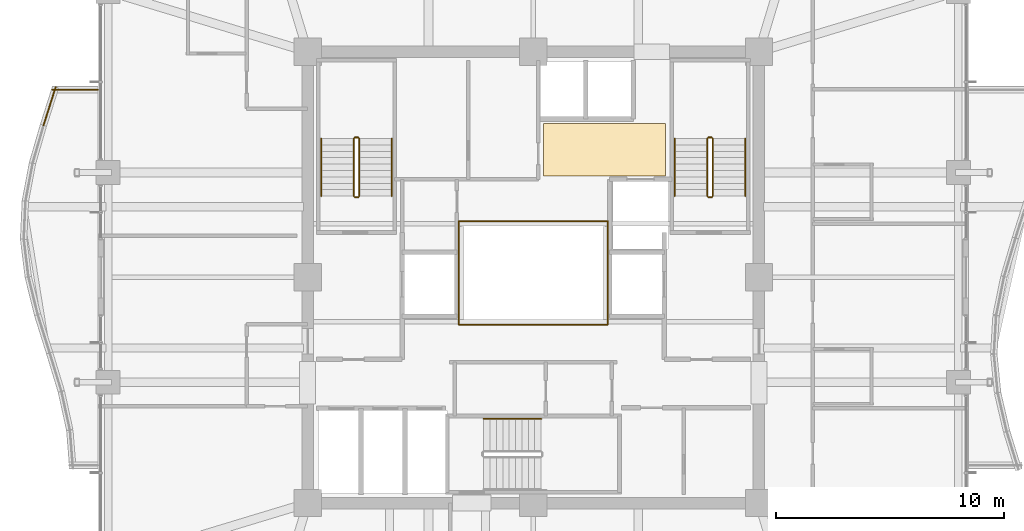
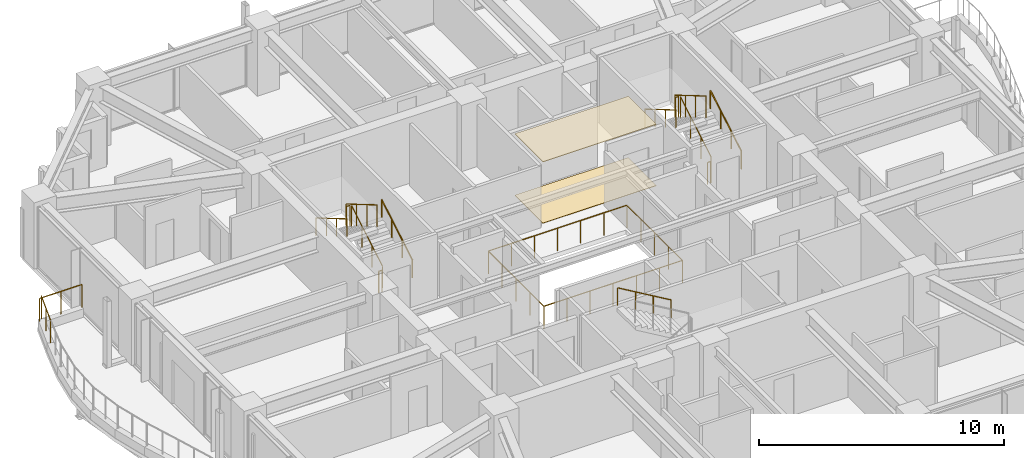
# One storey, part 37 of 38: 19 railings, 2 coverings.
"""IFC4 building model written with IfcOpenShell, lengths in metres."""

from ifc_helpers import new_model, si_unit, direction, frame, origin, origin_2d, place, context, subcontext, project, spatial, polyline, circle, outline, extrude, material, layer, layer_set, type_object, element, save


model = new_model("IFC4")

# Units and contexts
model_context = context("Model", 3, precision=1e-05, world=origin(), true_north=direction((0.0, 1.0)))
body_context = subcontext(model_context, "Body", "Model", "MODEL_VIEW")
ifc_project = project(units=[si_unit("LENGTHUNIT", "METRE"), si_unit("AREAUNIT", "SQUARE_METRE"), si_unit("VOLUMEUNIT", "CUBIC_METRE"), si_unit("PLANEANGLEUNIT", "RADIAN"), si_unit("MASSUNIT", "GRAM", prefix="KILO")], contexts=[model_context])

# Site, building, storey
site_placement = place(None, origin())
site = spatial("IfcSite", under=ifc_project, at=site_placement, CompositionType="ELEMENT")
building_placement = place(site_placement, origin())
building = spatial("IfcBuilding", under=site, at=building_placement, Name="Kolvaren Belvedere", CompositionType="ELEMENT")
storey_placement = place(building_placement, frame((0.0, 0.0, 121.699951171875)))
storey = spatial("IfcBuildingStorey", under=building, at=storey_placement, Name="L35", CompositionType="ELEMENT", Elevation=121.699951171875)

# Coverings
ifc_material_1 = material(Name="Acoustic perforated gypsum board", Category="gypsum")
ifc_layer_1 = layer(ifc_material_1, 0.02490234375)
ifc_layer_set_1 = layer_set([ifc_layer_1], Name="Acoustic perforated gypsum board")
covering_type_1 = type_object("IfcCoveringType", Name="COV-CEIL-GYP", PredefinedType="CEILING", material=ifc_layer_set_1)
covering_1_placement = place(storey_placement, frame((0.0, 0.0, 3.054931640625)))
element("IfcCovering", 1, at=covering_1_placement, inside=storey, type_object=covering_type_1, Name="L35 Lift Lobby Acoustic Baffle Ceiling", PredefinedType="CEILING", context=body_context, shape_type="SweptSolid", body=[
    extrude(outline(polyline([(0.449951171875, 4.449951171875), (5.800048828125, 4.449951171875), (5.800048828125, 6.75), (0.449951171875, 6.75), (0.449951171875, 4.449951171875)])), origin(), (0.0, 0.0, 1.0), 0.025146484375),
])
ifc_material_2 = material(Name="Engineered Pacific white oak", Category="timber")
ifc_layer_2 = layer(ifc_material_2, 0.02001953125)
ifc_layer_set_2 = layer_set([ifc_layer_2], Name="Engineered Pacific white oak")
covering_type_2 = type_object("IfcCoveringType", Name="COV-FLR-OAK", PredefinedType="FLOORING", material=ifc_layer_set_2)
covering_2_placement = place(storey_placement, origin())
element("IfcCovering", 2, at=covering_2_placement, inside=storey, type_object=covering_type_2, Name="L35 Lift Lobby Finish Flooring", PredefinedType="FLOORING", context=body_context, shape_type="SweptSolid", body=[
    extrude(outline(polyline([(0.449951171875, 4.449951171875), (5.800048828125, 4.449951171875), (5.800048828125, 6.75), (0.449951171875, 6.75), (0.449951171875, 4.449951171875)])), origin(), (0.0, 0.0, 1.0), 0.02001953125),
])

# Railings
ifc_material_3 = material(Name="Laminated glass & stainless-steel cap rail", Category="steel")
railing_type_1 = type_object("IfcRailingType", Name="RL-ATR-1150", PredefinedType="BALUSTRADE", material=ifc_material_3)
for number, where, name in (
    (3, (-3.27001953125, 2.469970703125, 0.0), "L35 Atrium North Glass Balustrade"),
    (4, (-3.27001953125, -2.070068359375, 0.0), "L35 Atrium South Glass Balustrade"),
):
    element("IfcRailing", number, at=place(storey_placement, frame(where)), inside=storey, type_object=railing_type_1, Name=name, PredefinedType="BALUSTRADE", context=body_context, shape_type="SweptSolid", body=[
        extrude(circle(Radius=0.02392578125, at=origin_2d()), frame((0.0, 0.0, 1.1259765625), z_axis=(1.0, 0.0, 0.0), x_axis=(0.0, 1.0, 0.0)), (0.0, 0.0, 1.0), 6.5400390625),
        extrude(circle(Radius=0.02099609375, at=origin_2d()), origin(), (0.0, 0.0, 1.0), 1.101806640625),
        extrude(circle(Radius=0.02099609375, at=origin_2d()), frame((1.090087890625, 0.0, 0.0)), (0.0, 0.0, 1.0), 1.101806640625),
        extrude(circle(Radius=0.02099609375, at=origin_2d()), frame((2.179931640625, 0.0, 0.0)), (0.0, 0.0, 1.0), 1.101806640625),
        extrude(circle(Radius=0.02099609375, at=origin_2d()), frame((3.27001953125, 0.0, 0.0)), (0.0, 0.0, 1.0), 1.101806640625),
        extrude(circle(Radius=0.02099609375, at=origin_2d()), frame((4.360107421875, 0.0, 0.0)), (0.0, 0.0, 1.0), 1.101806640625),
        extrude(circle(Radius=0.02099609375, at=origin_2d()), frame((5.449951171875, 0.0, 0.0)), (0.0, 0.0, 1.0), 1.101806640625),
        extrude(circle(Radius=0.02099609375, at=origin_2d()), frame((6.5400390625, 0.0, 0.0)), (0.0, 0.0, 1.0), 1.101806640625),
    ])
for number, where, name in (
    (5, (-3.27001953125, -2.070068359375, 0.0), "L35 Atrium West Glass Balustrade"),
    (6, (3.27001953125, -2.070068359375, 0.0), "L35 Atrium East Glass Balustrade"),
):
    element("IfcRailing", number, at=place(storey_placement, frame(where)), inside=storey, type_object=railing_type_1, Name=name, PredefinedType="BALUSTRADE", context=body_context, shape_type="SweptSolid", body=[
        extrude(circle(Radius=0.02392578125, at=origin_2d()), frame((0.0, 0.0, 1.1259765625), z_axis=(0.0, 1.0, 0.0), x_axis=(-1.0, 0.0, 0.0)), (0.0, 0.0, 1.0), 4.5400390625),
        extrude(circle(Radius=0.02099609375, at=origin_2d()), origin(), (0.0, 0.0, 1.0), 1.101806640625),
        extrude(circle(Radius=0.02099609375, at=origin_2d()), frame((0.0, 1.135009765625, 0.0)), (0.0, 0.0, 1.0), 1.101806640625),
        extrude(circle(Radius=0.02099609375, at=origin_2d()), frame((0.0, 2.27001953125, 0.0)), (0.0, 0.0, 1.0), 1.101806640625),
        extrude(circle(Radius=0.02099609375, at=origin_2d()), frame((0.0, 3.405029296875, 0.0)), (0.0, 0.0, 1.0), 1.101806640625),
        extrude(circle(Radius=0.02099609375, at=origin_2d()), frame((0.0, 4.5400390625, 0.0)), (0.0, 0.0, 1.0), 1.101806640625),
    ])
ifc_material_4 = material(Name="Anodised pale-metal aluminium & laminated glass guard", Category="aluminium")
railing_type_2 = type_object("IfcRailingType", Name="RL-GUARD-1150", PredefinedType="GUARDRAIL", material=ifc_material_4)
railing_1_placement = place(storey_placement, frame((-20.953857421875, 8.351318359375, 0.380126953125)))
element("IfcRailing", 7, at=railing_1_placement, inside=storey, type_object=railing_type_2, Name="L35 Exterior Deck Safety Guard BAL-W-1", PredefinedType="GUARDRAIL", context=body_context, shape_type="SweptSolid", body=[
    extrude(circle(Radius=0.02392578125, at=origin_2d()), frame((0.0, 0.0, 1.1259765625), z_axis=(-0.304032153573, -0.952661770826, 0.0), x_axis=(0.952661770826, -0.304032153573, 0.0)), (0.0, 0.0, 1.0), 1.763427734375),
    extrude(circle(Radius=0.02099609375, at=origin_2d()), origin(), (0.0, 0.0, 1.0), 1.101806640625),
    extrude(circle(Radius=0.02099609375, at=origin_2d()), frame((-0.26806640625, -0.83984375, 0.0)), (0.0, 0.0, 1.0), 1.101806640625),
    extrude(circle(Radius=0.02099609375, at=origin_2d()), frame((-0.5361328125, -1.679931640625, 0.0)), (0.0, 0.0, 1.0), 1.101806640625),
])
railing_2_placement = place(storey_placement, frame((-19.10009765625, 8.239990234375, 0.380126953125)))
element("IfcRailing", 8, at=railing_2_placement, inside=storey, type_object=railing_type_2, Name="L35 Exterior Deck Safety Guard BAL-W-22", PredefinedType="GUARDRAIL", context=body_context, shape_type="SweptSolid", body=[
    extrude(circle(Radius=0.02392578125, at=origin_2d()), frame((0.0, 0.0, 1.1259765625), z_axis=(-1.0, 0.0, 0.0), x_axis=(0.0, -1.0, 0.0)), (0.0, 0.0, 1.0), 2.006103515625),
    extrude(circle(Radius=0.02099609375, at=origin_2d()), origin(), (0.0, 0.0, 1.0), 1.101806640625),
    extrude(circle(Radius=0.02099609375, at=origin_2d()), frame((-1.0029296875, 0.0, 0.0)), (0.0, 0.0, 1.0), 1.101806640625),
    extrude(circle(Radius=0.02099609375, at=origin_2d()), frame((-2.006103515625, 0.0, 0.0)), (0.0, 0.0, 1.0), 1.101806640625),
])
ifc_material_5 = material(Name="Brushed stainless-steel handrail", Category="steel")
railing_type_3 = type_object("IfcRailingType", Name="RL-HANDRAIL-920", PredefinedType="HANDRAIL", material=ifc_material_5)
railing_3_placement = place(storey_placement, frame((-6.2099609375, 3.570068359375, 0.1650390625)))
element("IfcRailing", 9, at=railing_3_placement, inside=storey, type_object=railing_type_3, Name="L35 ST-1 stair handrail 1", PredefinedType="HANDRAIL", context=body_context, shape_type="SweptSolid", body=[
    extrude(circle(Radius=0.02392578125, at=origin_2d()), frame((0.0, 0.0, 0.8759765625), z_axis=(0.0, 0.86152411907, 0.507716645641), x_axis=(-1.0, 0.0, 0.0)), (0.0, 0.0, 1.0), 2.925048828125),
    extrude(circle(Radius=0.02099609375, at=origin_2d()), origin(), (0.0, 0.0, 1.0), 0.851806640625),
    extrude(circle(Radius=0.02099609375, at=origin_2d()), frame((0.0, 0.840087890625, 0.4951171875)), (0.0, 0.0, 1.0), 0.851806640625),
    extrude(circle(Radius=0.02099609375, at=origin_2d()), frame((0.0, 1.679931640625, 0.989990234375)), (0.0, 0.0, 1.0), 0.851806640625),
    extrude(circle(Radius=0.02099609375, at=origin_2d()), frame((0.0, 2.52001953125, 1.485107421875)), (0.0, 0.0, 1.0), 0.851806640625),
])
railing_4_placement = place(storey_placement, frame((-9.300048828125, 6.090087890625, 1.81494140625)))
element("IfcRailing", 10, at=railing_4_placement, inside=storey, type_object=railing_type_3, Name="L35 ST-1 stair handrail 2", PredefinedType="HANDRAIL", context=body_context, shape_type="SweptSolid", body=[
    extrude(circle(Radius=0.02392578125, at=origin_2d()), frame((0.0, 0.0, 0.8759765625), z_axis=(0.0, -0.86152411907, 0.507716645641), x_axis=(1.0, 0.0, 0.0)), (0.0, 0.0, 1.0), 2.925048828125),
    extrude(circle(Radius=0.02099609375, at=origin_2d()), origin(), (0.0, 0.0, 1.0), 0.851806640625),
    extrude(circle(Radius=0.02099609375, at=origin_2d()), frame((0.0, -0.840087890625, 0.4951171875)), (0.0, 0.0, 1.0), 0.851806640625),
    extrude(circle(Radius=0.02099609375, at=origin_2d()), frame((0.0, -1.679931640625, 0.989990234375)), (0.0, 0.0, 1.0), 0.851806640625),
    extrude(circle(Radius=0.02099609375, at=origin_2d()), frame((0.0, -2.52001953125, 1.485107421875)), (0.0, 0.0, 1.0), 0.851806640625),
])
railing_5_placement = place(storey_placement, frame((9.300048828125, 3.570068359375, 0.1650390625)))
element("IfcRailing", 11, at=railing_5_placement, inside=storey, type_object=railing_type_3, Name="L35 ST-2 stair handrail 1", PredefinedType="HANDRAIL", context=body_context, shape_type="SweptSolid", body=[
    extrude(circle(Radius=0.02392578125, at=origin_2d()), frame((0.0, 0.0, 0.8759765625), z_axis=(0.0, 0.86152411907, 0.507716645641), x_axis=(-1.0, 0.0, 0.0)), (0.0, 0.0, 1.0), 2.925048828125),
    extrude(circle(Radius=0.02099609375, at=origin_2d()), origin(), (0.0, 0.0, 1.0), 0.851806640625),
    extrude(circle(Radius=0.02099609375, at=origin_2d()), frame((0.0, 0.840087890625, 0.4951171875)), (0.0, 0.0, 1.0), 0.851806640625),
    extrude(circle(Radius=0.02099609375, at=origin_2d()), frame((0.0, 1.679931640625, 0.989990234375)), (0.0, 0.0, 1.0), 0.851806640625),
    extrude(circle(Radius=0.02099609375, at=origin_2d()), frame((0.0, 2.52001953125, 1.485107421875)), (0.0, 0.0, 1.0), 0.851806640625),
])
railing_6_placement = place(storey_placement, frame((6.2099609375, 6.090087890625, 1.81494140625)))
element("IfcRailing", 12, at=railing_6_placement, inside=storey, type_object=railing_type_3, Name="L35 ST-2 stair handrail 2", PredefinedType="HANDRAIL", context=body_context, shape_type="SweptSolid", body=[
    extrude(circle(Radius=0.02392578125, at=origin_2d()), frame((0.0, 0.0, 0.8759765625), z_axis=(0.0, -0.86152411907, 0.507716645641), x_axis=(1.0, 0.0, 0.0)), (0.0, 0.0, 1.0), 2.925048828125),
    extrude(circle(Radius=0.02099609375, at=origin_2d()), origin(), (0.0, 0.0, 1.0), 0.851806640625),
    extrude(circle(Radius=0.02099609375, at=origin_2d()), frame((0.0, -0.840087890625, 0.4951171875)), (0.0, 0.0, 1.0), 0.851806640625),
    extrude(circle(Radius=0.02099609375, at=origin_2d()), frame((0.0, -1.679931640625, 0.989990234375)), (0.0, 0.0, 1.0), 0.851806640625),
    extrude(circle(Radius=0.02099609375, at=origin_2d()), frame((0.0, -2.52001953125, 1.485107421875)), (0.0, 0.0, 1.0), 0.851806640625),
])
railing_7_placement = place(storey_placement, frame((0.340087890625, -6.2099609375, 1.81494140625)))
element("IfcRailing", 13, at=railing_7_placement, inside=storey, type_object=railing_type_3, Name="L35 ST-3 stair handrail 2", PredefinedType="HANDRAIL", context=body_context, shape_type="SweptSolid", body=[
    extrude(circle(Radius=0.02392578125, at=origin_2d()), frame((0.0, 0.0, 0.8759765625), z_axis=(-0.86152411907, 0.0, 0.507716645641), x_axis=(0.0, -1.0, 0.0)), (0.0, 0.0, 1.0), 2.925048828125),
    extrude(circle(Radius=0.02099609375, at=origin_2d()), origin(), (0.0, 0.0, 1.0), 0.851806640625),
    extrude(circle(Radius=0.02099609375, at=origin_2d()), frame((-0.840087890625, 0.0, 0.4951171875)), (0.0, 0.0, 1.0), 0.851806640625),
    extrude(circle(Radius=0.02099609375, at=origin_2d()), frame((-1.679931640625, 0.0, 0.989990234375)), (0.0, 0.0, 1.0), 0.851806640625),
    extrude(circle(Radius=0.02099609375, at=origin_2d()), frame((-2.52001953125, 0.0, 1.485107421875)), (0.0, 0.0, 1.0), 0.851806640625),
])
ifc_material_6 = material(Name="Painted tubular steel stair guard", Category="steel")
railing_type_4 = type_object("IfcRailingType", Name="RL-STGUARD-1100", PredefinedType="GUARDRAIL", material=ifc_material_6)
railing_8_placement = place(storey_placement, frame((-7.6298828125, 3.570068359375, 0.1650390625)))
element("IfcRailing", 14, at=railing_8_placement, inside=storey, type_object=railing_type_4, Name="L35 ST-1 stair guard 1", PredefinedType="GUARDRAIL", context=body_context, shape_type="SweptSolid", body=[
    extrude(circle(Radius=0.02392578125, at=origin_2d()), frame((0.0, 0.0, 1.076171875), z_axis=(0.0, 0.86152411907, 0.507716645641), x_axis=(-1.0, 0.0, 0.0)), (0.0, 0.0, 1.0), 2.925048828125),
    extrude(circle(Radius=0.02099609375, at=origin_2d()), origin(), (0.0, 0.0, 1.0), 1.052001953125),
    extrude(circle(Radius=0.02099609375, at=origin_2d()), frame((0.0, 0.840087890625, 0.4951171875)), (0.0, 0.0, 1.0), 1.052001953125),
    extrude(circle(Radius=0.02099609375, at=origin_2d()), frame((0.0, 1.679931640625, 0.989990234375)), (0.0, 0.0, 1.0), 1.052001953125),
    extrude(circle(Radius=0.02099609375, at=origin_2d()), frame((0.0, 2.52001953125, 1.485107421875)), (0.0, 0.0, 1.0), 1.052001953125),
])
railing_9_placement = place(storey_placement, frame((-7.679931640625, 6.139892578125, 1.650146484375)))
element("IfcRailing", 15, at=railing_9_placement, inside=storey, type_object=railing_type_4, Name="L35 ST-1 stair guard 2", PredefinedType="GUARDRAIL", context=body_context, shape_type="SweptSolid", body=[
    extrude(circle(Radius=0.02392578125, at=origin_2d()), frame((0.0, 0.0, 1.076171875), z_axis=(-1.0, 0.0, 0.0), x_axis=(0.0, -1.0, 0.0)), (0.0, 0.0, 1.0), 0.150146484375),
    extrude(circle(Radius=0.02099609375, at=origin_2d()), origin(), (0.0, 0.0, 1.0), 1.052001953125),
    extrude(circle(Radius=0.02099609375, at=origin_2d()), frame((-0.150146484375, 0.0, 0.0)), (0.0, 0.0, 1.0), 1.052001953125),
])
railing_10_placement = place(storey_placement, frame((-7.8798828125, 6.090087890625, 1.81494140625)))
element("IfcRailing", 16, at=railing_10_placement, inside=storey, type_object=railing_type_4, Name="L35 ST-1 stair guard 3", PredefinedType="GUARDRAIL", context=body_context, shape_type="SweptSolid", body=[
    extrude(circle(Radius=0.02392578125, at=origin_2d()), frame((0.0, 0.0, 1.076171875), z_axis=(0.0, -0.86152411907, 0.507716645641), x_axis=(1.0, 0.0, 0.0)), (0.0, 0.0, 1.0), 2.925048828125),
    extrude(circle(Radius=0.02099609375, at=origin_2d()), origin(), (0.0, 0.0, 1.0), 1.052001953125),
    extrude(circle(Radius=0.02099609375, at=origin_2d()), frame((0.0, -0.840087890625, 0.4951171875)), (0.0, 0.0, 1.0), 1.052001953125),
    extrude(circle(Radius=0.02099609375, at=origin_2d()), frame((0.0, -1.679931640625, 0.989990234375)), (0.0, 0.0, 1.0), 1.052001953125),
    extrude(circle(Radius=0.02099609375, at=origin_2d()), frame((0.0, -2.52001953125, 1.485107421875)), (0.0, 0.0, 1.0), 1.052001953125),
])
railing_11_placement = place(storey_placement, frame((-7.679931640625, 3.52001953125, 0.0)))
element("IfcRailing", 17, at=railing_11_placement, inside=storey, type_object=railing_type_4, Name="L35 ST-1 stair guard 4", PredefinedType="GUARDRAIL", context=body_context, shape_type="SweptSolid", body=[
    extrude(circle(Radius=0.02392578125, at=origin_2d()), frame((0.0, 0.0, 1.076171875), z_axis=(-1.0, 0.0, 0.0), x_axis=(0.0, -1.0, 0.0)), (0.0, 0.0, 1.0), 0.150146484375),
    extrude(circle(Radius=0.02099609375, at=origin_2d()), origin(), (0.0, 0.0, 1.0), 1.052001953125),
    extrude(circle(Radius=0.02099609375, at=origin_2d()), frame((-0.150146484375, 0.0, 0.0)), (0.0, 0.0, 1.0), 1.052001953125),
])
railing_12_placement = place(storey_placement, frame((7.8798828125, 3.570068359375, 0.1650390625)))
element("IfcRailing", 18, at=railing_12_placement, inside=storey, type_object=railing_type_4, Name="L35 ST-2 stair guard 1", PredefinedType="GUARDRAIL", context=body_context, shape_type="SweptSolid", body=[
    extrude(circle(Radius=0.02392578125, at=origin_2d()), frame((0.0, 0.0, 1.076171875), z_axis=(0.0, 0.86152411907, 0.507716645641), x_axis=(-1.0, 0.0, 0.0)), (0.0, 0.0, 1.0), 2.925048828125),
    extrude(circle(Radius=0.02099609375, at=origin_2d()), origin(), (0.0, 0.0, 1.0), 1.052001953125),
    extrude(circle(Radius=0.02099609375, at=origin_2d()), frame((0.0, 0.840087890625, 0.4951171875)), (0.0, 0.0, 1.0), 1.052001953125),
    extrude(circle(Radius=0.02099609375, at=origin_2d()), frame((0.0, 1.679931640625, 0.989990234375)), (0.0, 0.0, 1.0), 1.052001953125),
    extrude(circle(Radius=0.02099609375, at=origin_2d()), frame((0.0, 2.52001953125, 1.485107421875)), (0.0, 0.0, 1.0), 1.052001953125),
])
railing_13_placement = place(storey_placement, frame((7.830078125, 6.139892578125, 1.650146484375)))
element("IfcRailing", 19, at=railing_13_placement, inside=storey, type_object=railing_type_4, Name="L35 ST-2 stair guard 2", PredefinedType="GUARDRAIL", context=body_context, shape_type="SweptSolid", body=[
    extrude(circle(Radius=0.02392578125, at=origin_2d()), frame((0.0, 0.0, 1.076171875), z_axis=(-1.0, 0.0, 0.0), x_axis=(0.0, -1.0, 0.0)), (0.0, 0.0, 1.0), 0.150146484375),
    extrude(circle(Radius=0.02099609375, at=origin_2d()), origin(), (0.0, 0.0, 1.0), 1.052001953125),
    extrude(circle(Radius=0.02099609375, at=origin_2d()), frame((-0.150146484375, 0.0, 0.0)), (0.0, 0.0, 1.0), 1.052001953125),
])
railing_14_placement = place(storey_placement, frame((7.6298828125, 6.090087890625, 1.81494140625)))
element("IfcRailing", 20, at=railing_14_placement, inside=storey, type_object=railing_type_4, Name="L35 ST-2 stair guard 3", PredefinedType="GUARDRAIL", context=body_context, shape_type="SweptSolid", body=[
    extrude(circle(Radius=0.02392578125, at=origin_2d()), frame((0.0, 0.0, 1.076171875), z_axis=(0.0, -0.86152411907, 0.507716645641), x_axis=(1.0, 0.0, 0.0)), (0.0, 0.0, 1.0), 2.925048828125),
    extrude(circle(Radius=0.02099609375, at=origin_2d()), origin(), (0.0, 0.0, 1.0), 1.052001953125),
    extrude(circle(Radius=0.02099609375, at=origin_2d()), frame((0.0, -0.840087890625, 0.4951171875)), (0.0, 0.0, 1.0), 1.052001953125),
    extrude(circle(Radius=0.02099609375, at=origin_2d()), frame((0.0, -1.679931640625, 0.989990234375)), (0.0, 0.0, 1.0), 1.052001953125),
    extrude(circle(Radius=0.02099609375, at=origin_2d()), frame((0.0, -2.52001953125, 1.485107421875)), (0.0, 0.0, 1.0), 1.052001953125),
])
railing_15_placement = place(storey_placement, frame((7.830078125, 3.52001953125, 0.0)))
element("IfcRailing", 21, at=railing_15_placement, inside=storey, type_object=railing_type_4, Name="L35 ST-2 stair guard 4", PredefinedType="GUARDRAIL", context=body_context, shape_type="SweptSolid", body=[
    extrude(circle(Radius=0.02392578125, at=origin_2d()), frame((0.0, 0.0, 1.076171875), z_axis=(-1.0, 0.0, 0.0), x_axis=(0.0, -1.0, 0.0)), (0.0, 0.0, 1.0), 0.150146484375),
    extrude(circle(Radius=0.02099609375, at=origin_2d()), origin(), (0.0, 0.0, 1.0), 1.052001953125),
    extrude(circle(Radius=0.02099609375, at=origin_2d()), frame((-0.150146484375, 0.0, 0.0)), (0.0, 0.0, 1.0), 1.052001953125),
])

save(model, "model.ifc")
